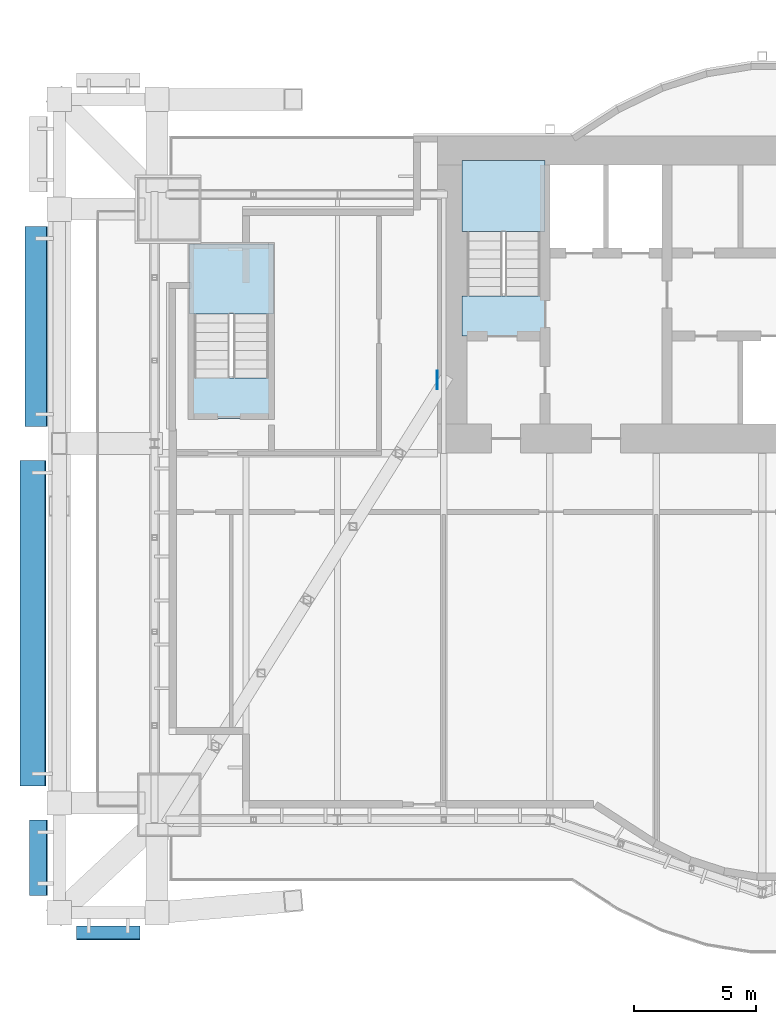
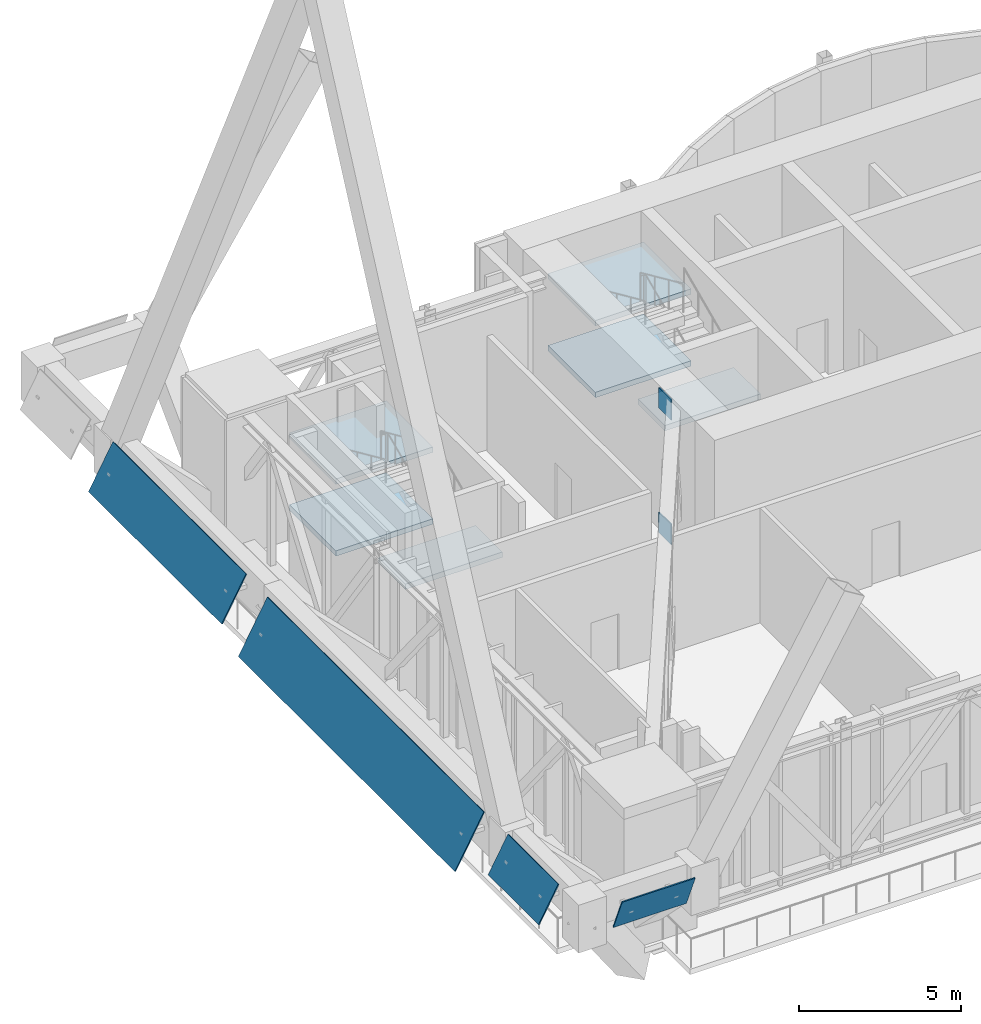
# One storey, part 19 of 31: 6 plates, 6 slabs, 2 elements without a shape of their own.
"""IFC4 building model written with IfcOpenShell, lengths in metres."""

from ifc_helpers import new_model, si_unit, direction, frame, origin, origin_2d, place, context, subcontext, project, spatial, polyline, rectangle, outline, extrude, material, layer, layer_set, type_object, element, aggregate, save


model = new_model("IFC4")

# Units and contexts
model_context = context("Model", 3, precision=1e-05, world=origin(), true_north=direction((0.0, 1.0)))
body_context = subcontext(model_context, "Body", "Model", "MODEL_VIEW")
ifc_project = project(units=[si_unit("LENGTHUNIT", "METRE"), si_unit("AREAUNIT", "SQUARE_METRE"), si_unit("VOLUMEUNIT", "CUBIC_METRE"), si_unit("PLANEANGLEUNIT", "RADIAN"), si_unit("MASSUNIT", "GRAM", prefix="KILO")], contexts=[model_context])

# Site, building, storey
site_placement = place(None, origin())
site = spatial("IfcSite", under=ifc_project, at=site_placement, CompositionType="ELEMENT")
building_placement = place(site_placement, origin())
building = spatial("IfcBuilding", under=site, at=building_placement, Name="Bicima Exchange Tower", CompositionType="ELEMENT")
storey_placement = place(building_placement, frame((0.0, 0.0, 236.0)))
storey = spatial("IfcBuildingStorey", under=building, at=storey_placement, Name="L53", CompositionType="ELEMENT", Elevation=236.0)

# Plates
ifc_material_1 = material(Name="Dark tinted spandrel glass", Category="glass")
ifc_layer_1 = layer(ifc_material_1, 0.0400390625)
ifc_layer_set_1 = layer_set([ifc_layer_1], Name="Dark tinted spandrel glass")
plate_type_1 = type_object("IfcPlateType", Name="Belt fascia glass panel 40", PredefinedType="SHEET", material=ifc_layer_set_1)
plate_1_placement = place(storey_placement, frame((-36.800048828125, -32.358642578125, 4.050048828125), z_axis=(0.0, 0.919715682457, 0.39258510344), x_axis=(1.0, 0.0, 0.0)))
element("IfcPlate", 1, at=plate_1_placement, inside=storey, type_object=plate_type_1, Name="Belt fascia glass panel", PredefinedType="SHEET", context=body_context, shape_type="SweptSolid", body=[
    extrude(outline(polyline([(0.0, 0.0), (2.60009765625, 0.0), (2.60009765625, -1.3917663048388182), (0.0, -1.3917663048388182), (0.0, 0.0)])), origin(), (0.0, 0.0, -1.0), 0.0400390625),
])
plate_2_placement = place(storey_placement, frame((-38.897216796875, -3.699951171875, 3.75), z_axis=(-0.876650248979, 0.0, 0.481128195978), x_axis=(0.0, -1.0, 0.0)))
element("IfcPlate", 2, at=plate_2_placement, inside=storey, type_object=plate_type_1, Name="Belt fascia glass panel", PredefinedType="SHEET", context=body_context, shape_type="SweptSolid", body=[
    extrude(outline(polyline([(0.0, 0.0), (8.199951171875, 0.0), (8.199951171875, 1.8024042391372048), (0.0, 1.8024042391372048), (0.0, 0.0)])), origin(), (0.0, 0.0, -1.0), 0.0400390625),
])
plate_3_placement = place(storey_placement, frame((-39.11181640625, -13.300048828125, 3.449951171875), z_axis=(-0.876674581874, 0.0, 0.481083857031), x_axis=(0.0, -1.0, 0.0)))
element("IfcPlate", 3, at=plate_3_placement, inside=storey, type_object=plate_type_1, Name="Belt fascia glass panel", PredefinedType="SHEET", context=body_context, shape_type="SweptSolid", body=[
    extrude(outline(polyline([(0.0, 0.0), (13.32861328125, 0.0), (13.32861328125, 2.1446121422914217), (0.0, 2.1446121422914217), (0.0, 0.0)])), origin(), (0.0, 0.0, -1.0), 0.0400390625),
])
plate_4_placement = place(storey_placement, frame((-38.732421875, -28.02880859375, 4.050048828125), z_axis=(-0.876685030348, 0.0, 0.481064816386), x_axis=(0.0, -1.0, 0.0)))
element("IfcPlate", 4, at=plate_4_placement, inside=storey, type_object=plate_type_1, Name="Belt fascia glass panel", PredefinedType="SHEET", context=body_context, shape_type="SweptSolid", body=[
    extrude(outline(polyline([(0.0, 0.0), (3.099853515625, 0.0), (3.099853515625, 1.460078879603219), (0.0, 1.460078879603219), (0.0, 0.0)])), origin(), (0.0, 0.0, -1.0), 0.0400390625),
])
ifc_material_2 = material(Name="Steel ASTM A572 Gr 50", Category="steel")
ifc_layer_2 = layer(ifc_material_2, 0.0400390625)
ifc_layer_set_2 = layer_set([ifc_layer_2], Name="Steel ASTM A572 Gr 50")
plate_type_2 = type_object("IfcPlateType", Name="Cast-in plate 40", PredefinedType="SHEET", material=ifc_layer_set_2)
for number, where, z_axis, x_axis, name in (
    (5, (-22.02001953125, -10.0, 4.5810546875), (0.0, 0.0, 1.0), (1.0, 0.0, 0.0), "Cast-in plate at core wall"),
    (6, (-22.02001953125, -10.0, -0.10009765625), (0.0, 0.0, 1.0), (1.0, 0.0, 0.0), "Cast-in plate at core wall"),
):
    element("IfcPlate", number, at=place(storey_placement, frame(where, z_axis=z_axis, x_axis=x_axis)), inside=storey, type_object=plate_type_2, Name=name, PredefinedType="SHEET", context=body_context, shape_type="SweptSolid", body=[
        extrude(rectangle(XDim=0.0400390625, YDim=0.754638671875, at=origin_2d()), origin(), (0.0, 0.0, 1.0), 0.76904296875),
    ])

# Stair, slabs
ifc_material_3 = material(Name="Concrete C50/60", Category="concrete")
stair_type = type_object("IfcStairType", Name="Exit stair", PredefinedType="HALF_TURN_STAIR", material=ifc_material_3)
stair_1_placement = place(storey_placement, origin())
stair_1 = element("IfcStair", 7, at=stair_1_placement, inside=storey, type_object=stair_type, Name="L53 West exit stair", PredefinedType="HALF_TURN_STAIR")
ifc_layer_3 = layer(ifc_material_3, 0.199951171875)
ifc_layer_set_3 = layer_set([ifc_layer_3], Name="Concrete C50/60")
slab_type = type_object("IfcSlabType", Name="Stair landing slab", PredefinedType="LANDING", material=ifc_layer_set_3)
slab_1_placement = place(storey_placement, frame((0.0, 0.0, 1.14990234375)))
slab_1 = element("IfcSlab", 8, at=slab_1_placement, type_object=slab_type, Name="ST-W landing 1", PredefinedType="LANDING", context=body_context, shape_type="SweptSolid", body=[
    extrude(outline(polyline([(-17.60009765625, -3.919921875), (-17.60009765625, -1.0), (-21.0, -1.0), (-21.0, -3.919921875), (-17.60009765625, -3.919921875)])), origin(), (0.0, 0.0, 1.0), 0.2001953125),
])
slab_2_placement = place(storey_placement, frame((0.0, 0.0, 2.5)))
slab_2 = element("IfcSlab", 9, at=slab_2_placement, type_object=slab_type, Name="ST-W landing 2", PredefinedType="LANDING", context=body_context, shape_type="SweptSolid", body=[
    extrude(outline(polyline([(-17.60009765625, -8.199951171875), (-17.60009765625, -6.550048828125), (-21.0, -6.550048828125), (-21.0, -8.199951171875), (-17.60009765625, -8.199951171875)])), origin(), (0.0, 0.0, 1.0), 0.199951171875),
])
slab_3_placement = place(storey_placement, frame((0.0, 0.0, 3.85009765625)))
slab_3 = element("IfcSlab", 10, at=slab_3_placement, type_object=slab_type, Name="ST-W landing 3", PredefinedType="LANDING", context=body_context, shape_type="SweptSolid", body=[
    extrude(outline(polyline([(-17.60009765625, -3.919921875), (-17.60009765625, -1.0), (-21.0, -1.0), (-21.0, -3.919921875), (-17.60009765625, -3.919921875)])), origin(), (0.0, 0.0, 1.0), 0.199951171875),
])
aggregate(stair_1, [slab_1, slab_2, slab_3])

stair_2_placement = place(storey_placement, origin())
stair_2 = element("IfcStair", 11, at=stair_2_placement, inside=storey, type_object=stair_type, Name="L53 West end exit stair", PredefinedType="HALF_TURN_STAIR")
slab_4_placement = place(storey_placement, frame((0.0, 0.0, 1.14990234375)))
slab_4 = element("IfcSlab", 12, at=slab_4_placement, type_object=slab_type, Name="ST-WW landing 1", PredefinedType="LANDING", context=body_context, shape_type="SweptSolid", body=[
    extrude(outline(polyline([(-28.72509765625, -7.294921875), (-28.72509765625, -4.425048828125), (-32.175048828125, -4.425048828125), (-32.175048828125, -7.294921875), (-28.72509765625, -7.294921875)])), origin(), (0.0, 0.0, 1.0), 0.2001953125),
])
slab_5_placement = place(storey_placement, frame((0.0, 0.0, 2.5)))
slab_5 = element("IfcSlab", 13, at=slab_5_placement, type_object=slab_type, Name="ST-WW landing 2", PredefinedType="LANDING", context=body_context, shape_type="SweptSolid", body=[
    extrude(outline(polyline([(-28.72509765625, -11.574951171875), (-28.72509765625, -9.925048828125), (-32.175048828125, -9.925048828125), (-32.175048828125, -11.574951171875), (-28.72509765625, -11.574951171875)])), origin(), (0.0, 0.0, 1.0), 0.199951171875),
])
slab_6_placement = place(storey_placement, frame((0.0, 0.0, 3.85009765625)))
slab_6 = element("IfcSlab", 14, at=slab_6_placement, type_object=slab_type, Name="ST-WW landing 3", PredefinedType="LANDING", context=body_context, shape_type="SweptSolid", body=[
    extrude(outline(polyline([(-28.72509765625, -7.294921875), (-28.72509765625, -4.425048828125), (-32.175048828125, -4.425048828125), (-32.175048828125, -7.294921875), (-28.72509765625, -7.294921875)])), origin(), (0.0, 0.0, 1.0), 0.199951171875),
])
aggregate(stair_2, [slab_4, slab_5, slab_6])

save(model, "model.ifc")
